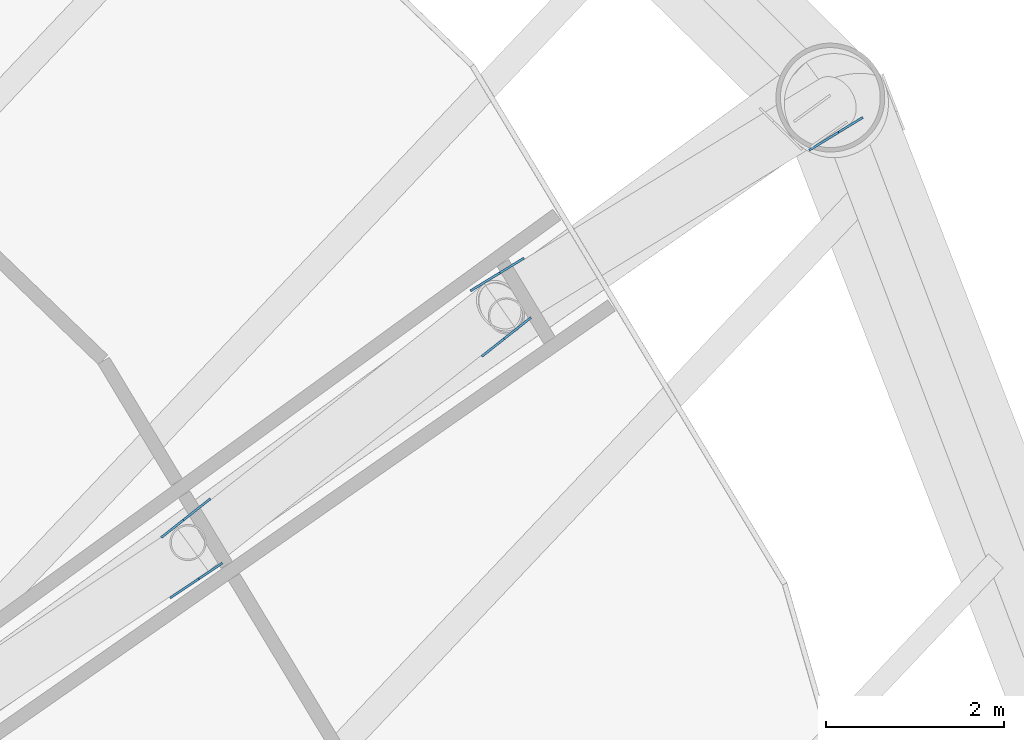
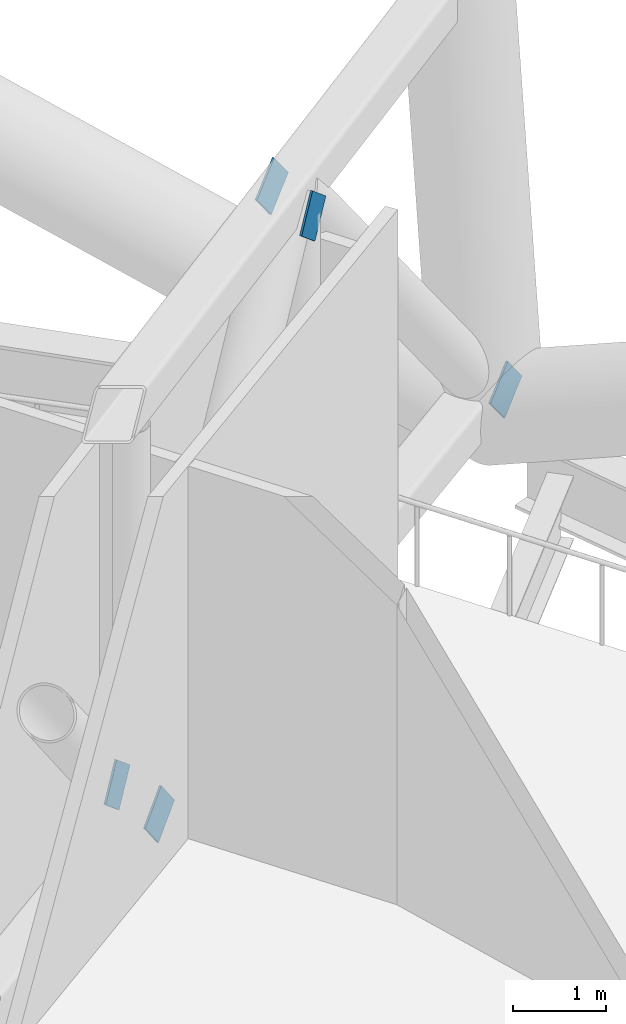
# One storey, part 21 of 39: 5 discrete accessories.
"""IFC4 building model written with IfcOpenShell, lengths in metres."""

from ifc_helpers import new_model, si_unit, direction, frame, origin, origin_2d, place, context, subcontext, project, spatial, rectangle, extrude, material, material_profile, profile_set, type_object, element, save


model = new_model("IFC4")

# Units and contexts
model_context = context("Model", 3, precision=1e-05, world=origin(), true_north=direction((0.0, 1.0)))
body_context = subcontext(model_context, "Body", "Model", "MODEL_VIEW")
ifc_project = project(units=[si_unit("LENGTHUNIT", "METRE"), si_unit("AREAUNIT", "SQUARE_METRE"), si_unit("VOLUMEUNIT", "CUBIC_METRE"), si_unit("PLANEANGLEUNIT", "RADIAN"), si_unit("MASSUNIT", "GRAM", prefix="KILO")], contexts=[model_context])

# Site, building, storey
site_placement = place(None, origin())
site = spatial("IfcSite", under=ifc_project, at=site_placement, CompositionType="ELEMENT")
building_placement = place(site_placement, origin())
building = spatial("IfcBuilding", under=site, at=building_placement, Name="Tarsis Ring Headquarters", CompositionType="ELEMENT")
storey_placement = place(building_placement, frame((0.0, 0.0, 86.800048828125)))
storey = spatial("IfcBuildingStorey", under=building, at=storey_placement, Name="L19", CompositionType="ELEMENT", Elevation=86.800048828125)

# Discrete accessories
ifc_material = material(Name="Structural steel S355", Category="steel")
ifc_material_profile = material_profile(ifc_material, rectangle(XDim=0.02490234375, YDim=0.5, at=origin_2d()), Name="PL 25x500")
ifc_profile_set = profile_set([ifc_material_profile], Name="Structural steel S355")
discrete_accessory_type = type_object("IfcDiscreteAccessoryType", Name="Gusset plate Outrigger 25", PredefinedType="BRACKET", material=ifc_profile_set)
discrete_accessory_1_placement = place(storey_placement, frame((17.36328125, 10.528564453125, 0.25390625), z_axis=(-0.527832849244, -0.352051326832, 0.772950416608), x_axis=(0.554877782367, -0.831931876198, 0.0)))
element("IfcDiscreteAccessory", 1, at=discrete_accessory_1_placement, inside=storey, type_object=discrete_accessory_type, Name="Gusset plate GP1", PredefinedType="BRACKET", context=body_context, shape_type="SweptSolid", body=[
    extrude(rectangle(XDim=0.02490234375, YDim=0.5, at=origin_2d()), origin(), (0.0, 0.0, 1.0), 0.5),
])
discrete_accessory_2_placement = place(storey_placement, frame((16.990478515625, 11.04150390625, 0.25390625), z_axis=(0.499152636604, 0.394144988003, 0.771684115298), x_axis=(-0.619718981972, 0.784823791296, 0.0)))
element("IfcDiscreteAccessory", 2, at=discrete_accessory_2_placement, inside=storey, type_object=discrete_accessory_type, Name="Gusset plate GP1", PredefinedType="BRACKET", context=body_context, shape_type="SweptSolid", body=[
    extrude(rectangle(XDim=0.02490234375, YDim=0.5, at=origin_2d()), origin(), (0.0, 0.0, 1.0), 0.499755859375),
])
for number, where, z_axis, x_axis, name in (
    (3, (20.832763671875, 13.2685546875, 5.5859375), (-0.499056516244, -0.394557402275, -0.77153551435), (0.620191649285, -0.784450328674, 0.0), "Gusset plate GP1"),
    (4, (20.470458984375, 13.788330078125, 5.5859375), (0.541979007438, 0.331046636976, -0.772442152943), (-0.521263405731, 0.85339584124, 0.0), "Gusset plate GP1"),
):
    element("IfcDiscreteAccessory", number, at=place(storey_placement, frame(where, z_axis=z_axis, x_axis=x_axis)), inside=storey, type_object=discrete_accessory_type, Name=name, PredefinedType="BRACKET", context=body_context, shape_type="SweptSolid", body=[
        extrude(rectangle(XDim=0.02490234375, YDim=0.5, at=origin_2d()), origin(), (0.0, 0.0, 1.0), 0.5),
    ])
discrete_accessory_3_placement = place(storey_placement, frame((24.539794921875, 15.53125, 0.25390625), z_axis=(-0.541774645757, -0.330921810652, 0.772638976787), x_axis=(0.521263405731, -0.85339584124, 0.0)))
element("IfcDiscreteAccessory", 5, at=discrete_accessory_3_placement, inside=storey, type_object=discrete_accessory_type, Name="Gusset plate GP1", PredefinedType="BRACKET", context=body_context, shape_type="SweptSolid", body=[
    extrude(rectangle(XDim=0.02490234375, YDim=0.5, at=origin_2d()), origin(), (0.0, 0.0, 1.0), 0.500244140625),
])

save(model, "model.ifc")
